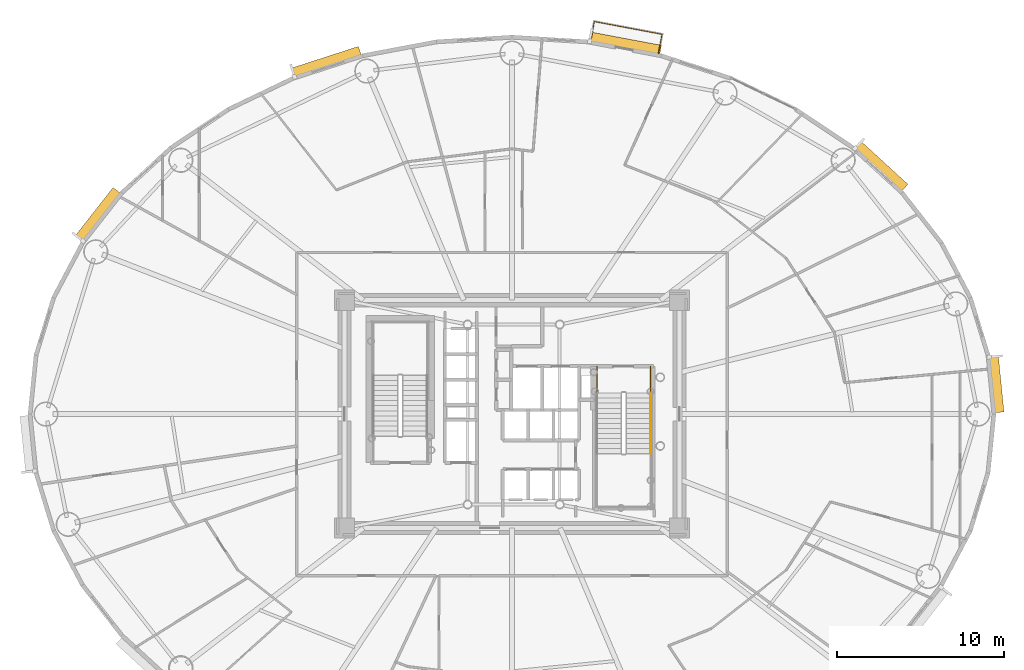
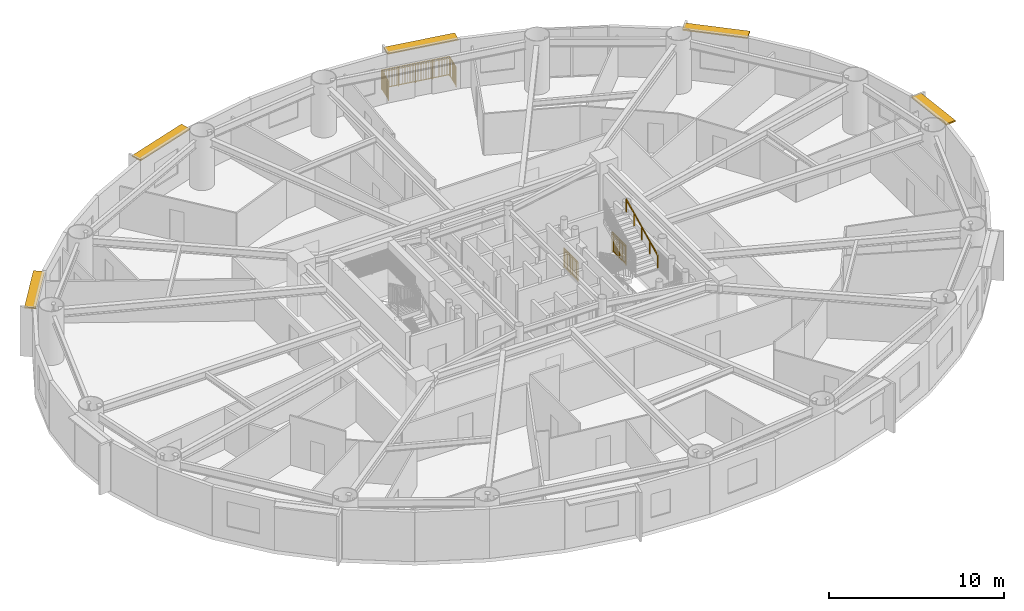
# One storey, part 17 of 17: 5 shading devices, 4 railings.
"""IFC4 building model written with IfcOpenShell, lengths in metres."""

import ifcopenshell
import ifcopenshell.guid

model = None  # the IFC model being written
_history = None  # IfcOwnerHistory: only IFC2X3 demands one
_inside = {}  # id of a spatial element -> (the spatial element, [elements in it])
_under = {}  # id of a project, library or spatial element -> (it, [spatial elements below it])
_declared = {}  # id of a project -> (the project, [libraries it declares])
_typed = {}  # id of a type object -> (the type object, [elements of that type])
_made_of = {}  # id of a material, layer set ... -> (it, [elements and type objects made of it])


def new_model(schema):
    """Start an empty IFC model of exactly this schema.

    Asked for "IFC4X3", IfcOpenShell would pick the latest addendum, in which some entities
    have other attributes; the version numbers below select the first issue.
    IFC2X3 requires an IfcOwnerHistory on every rooted entity: one is made here for all.
    """
    global model, _history
    if schema == "IFC4X3":
        model = ifcopenshell.file(schema_version=(4, 3, 0, 0))
    else:
        model = ifcopenshell.file(schema=schema)
    _inside.clear()
    _under.clear()
    _declared.clear()
    _typed.clear()
    _made_of.clear()
    _history = None
    if model.schema == "IFC2X3":
        org = make("IfcOrganization", Name="unknown")
        user = make(
            "IfcPersonAndOrganization",
            ThePerson=make("IfcPerson", FamilyName="unknown"),
            TheOrganization=org,
        )
        app = make(
            "IfcApplication",
            ApplicationDeveloper=org,
            Version="unknown",
            ApplicationFullName="unknown",
            ApplicationIdentifier="unknown",
        )
        _history = make(
            "IfcOwnerHistory",
            OwningUser=user,
            OwningApplication=app,
            ChangeAction="ADDED",
            CreationDate=0,
        )
    return model


def make(cls, **values):
    """One entity of the class cls with the attributes given. An attribute that is None is left unset."""
    return model.create_entity(
        cls, **{name: value for name, value in values.items() if value is not None}
    )


def rooted(cls, **values):
    """An entity with a GlobalId (a new one), such as an element, a storey or a relation."""
    return make(cls, GlobalId=ifcopenshell.guid.new(), OwnerHistory=_history, **values)


def si_unit(unit_type, name, prefix=None):
    """IfcSIUnit, for example si_unit("LENGTHUNIT", "METRE", prefix="MILLI")."""
    return make("IfcSIUnit", UnitType=unit_type, Prefix=prefix, Name=name)


def assignment(units):
    """IfcUnitAssignment: the units of a project."""
    return None if units is None else make("IfcUnitAssignment", Units=units)


def point(xyz):
    """IfcCartesianPoint."""
    return None if xyz is None else make("IfcCartesianPoint", Coordinates=xyz)


def direction(xyz):
    """IfcDirection."""
    return None if xyz is None else make("IfcDirection", DirectionRatios=xyz)


def frame(location, z_axis=None, x_axis=None):
    """IfcAxis2Placement3D, a coordinate frame: its origin and axes. An axis left out is left unset."""
    return make(
        "IfcAxis2Placement3D",
        Location=point(location),
        Axis=direction(z_axis),
        RefDirection=direction(x_axis),
    )


def frame_2d(location, x_axis=None):
    """IfcAxis2Placement2D, a coordinate frame in the plane: its origin and x axis."""
    return make(
        "IfcAxis2Placement2D", Location=point(location), RefDirection=direction(x_axis)
    )


def origin():
    """The frame at (0, 0, 0) with its axes left unset."""
    return frame((0.0, 0.0, 0.0))


def origin_2d():
    """The frame at (0, 0) in the plane with its x axis left unset."""
    return frame_2d((0.0, 0.0))


def place(relative_to, where):
    """IfcLocalPlacement: puts the frame where relative to a parent placement (None: the world)."""
    return make(
        "IfcLocalPlacement", PlacementRelTo=relative_to, RelativePlacement=where
    )


def context(
    kind, dimensions, precision=None, world=None, true_north=None, identifier=None
):
    """IfcGeometricRepresentationContext, for example the 3D "Model" context."""
    return make(
        "IfcGeometricRepresentationContext",
        ContextIdentifier=identifier,
        ContextType=kind,
        CoordinateSpaceDimension=dimensions,
        Precision=precision,
        WorldCoordinateSystem=world,
        TrueNorth=true_north,
    )


def subcontext(parent, identifier, kind, view, scale=None):
    """IfcGeometricRepresentationSubContext, for example "Body" below "Model"."""
    return make(
        "IfcGeometricRepresentationSubContext",
        ContextIdentifier=identifier,
        ContextType=kind,
        ParentContext=parent,
        TargetScale=scale,
        TargetView=view,
    )


def project(units=None, contexts=None):
    """IfcProject with its units and contexts."""
    return rooted(
        "IfcProject",
        Name="project",
        RepresentationContexts=contexts,
        UnitsInContext=assignment(units),
    )


def spatial(cls, under=None, at=None, **own):
    """A site, building, storey or space (cls), placed at a placement, below another one or the project."""
    s = rooted(cls, ObjectPlacement=at, **own)
    if under is not None:
        _under.setdefault(under.id(), (under, []))[1].append(s)
    return s


def profile(cls, at=None, kind="AREA", **sizes):
    """A parametric profile (cls). Its sizes go by their IFC names, for example OverallWidth=200.0."""
    return make(cls, ProfileType=kind, Position=at, **sizes)


def rectangle(**sizes):
    """IfcRectangleProfileDef."""
    return profile("IfcRectangleProfileDef", **sizes)


def extrude(swept, where, along, depth):
    """IfcExtrudedAreaSolid: the profile swept, set in the frame where, extruded along a direction by depth."""
    return make(
        "IfcExtrudedAreaSolid",
        SweptArea=swept,
        Position=where,
        ExtrudedDirection=direction(along),
        Depth=depth,
    )


def shape(context_of_items, identifier, shape_type, items):
    """IfcShapeRepresentation: the items that make up one representation, for example the "Body"."""
    return make(
        "IfcShapeRepresentation",
        ContextOfItems=context_of_items,
        RepresentationIdentifier=identifier,
        RepresentationType=shape_type,
        Items=items,
    )


def source(mapping_origin, context_of_items, identifier, shape_type, items):
    """IfcRepresentationMap: a shape defined once, which mapped items show again and again."""
    return make(
        "IfcRepresentationMap",
        MappingOrigin=mapping_origin,
        MappedRepresentation=shape(context_of_items, identifier, shape_type, items),
    )


def transform(
    local_origin,
    x_axis=None,
    y_axis=None,
    z_axis=None,
    scale=None,
    scale2=None,
    scale3=None,
    uniform=True,
):
    """IfcCartesianTransformationOperator3D, or its non-uniform kind. x_axis, y_axis, z_axis: its Axis1, 2, 3."""
    if uniform:
        return make(
            "IfcCartesianTransformationOperator3D",
            Axis1=direction(x_axis),
            Axis2=direction(y_axis),
            LocalOrigin=point(local_origin),
            Scale=scale,
            Axis3=direction(z_axis),
        )
    return make(
        "IfcCartesianTransformationOperator3DnonUniform",
        Axis1=direction(x_axis),
        Axis2=direction(y_axis),
        LocalOrigin=point(local_origin),
        Scale=scale,
        Axis3=direction(z_axis),
        Scale2=scale2,
        Scale3=scale3,
    )


def mapped(mapping_source, mapping_target):
    """IfcMappedItem: shows the shape of a source again, moved by a transform."""
    return make(
        "IfcMappedItem", MappingSource=mapping_source, MappingTarget=mapping_target
    )


def material(Name=None, Category=None):
    """IfcMaterial."""
    return make("IfcMaterial", Name=Name, Category=Category)


def layer(
    of_material, thickness, ventilated=None, Name=None, Category=None, Priority=None
):
    """IfcMaterialLayer: one layer of a wall or slab, of a material (None: an air gap)."""
    return make(
        "IfcMaterialLayer",
        Material=of_material,
        LayerThickness=thickness,
        IsVentilated=ventilated,
        Name=Name,
        Category=Category,
        Priority=Priority,
    )


def layer_set(layers, Name=None):
    """IfcMaterialLayerSet."""
    return make("IfcMaterialLayerSet", MaterialLayers=layers, LayerSetName=Name)


def made_of(thing, what):
    """Note that an element or type object is made of a material, layer set ...; save() writes the relation."""
    if what is not None:
        _made_of.setdefault(what.id(), (what, []))[1].append(thing)
    return thing


def type_object(cls, material=None, **own):
    """A type object (cls), such as IfcWallType, which elements share."""
    return made_of(rooted(cls, **own), material)


def element(
    cls,
    number,
    at=None,
    inside=None,
    cuts=None,
    type_object=None,
    material=None,
    context=None,
    identifier="Body",
    shape_type=None,
    held_by="IfcProductDefinitionShape",
    body=None,
    shapes=None,
    **own,
):
    """One element of the class cls, such as IfcWall. Its Tag is "e" and its number.

    at: its placement. inside: the storey or other place that contains it. cuts: it is an
    opening in that element (IfcRelVoidsElement). A single representation is given by context,
    identifier, shape_type and body (its items); several are given by shapes. held_by: the class
    of the entity that holds the representations. save() writes the other relations.
    """
    e = rooted(cls, Tag="e%d" % number, ObjectPlacement=at, **own)
    if body is not None:
        shapes = [shape(context, identifier, shape_type, body)]
    if shapes is not None:
        e.Representation = make(held_by, Representations=shapes)
    if inside is not None:
        _inside.setdefault(inside.id(), (inside, []))[1].append(e)
    if cuts is not None:
        rooted(
            "IfcRelVoidsElement", RelatingBuildingElement=cuts, RelatedOpeningElement=e
        )
    if type_object is not None:
        _typed.setdefault(type_object.id(), (type_object, []))[1].append(e)
    return made_of(e, material)


def aggregate(whole, parts):
    """IfcRelAggregates: a whole, such as a stair, and the parts it consists of."""
    return rooted("IfcRelAggregates", RelatingObject=whole, RelatedObjects=parts)


def save(model, path):
    """Write the relations noted so far, then the file.

    IfcRelAggregates (storeys below a building ...), IfcRelContainedInSpatialStructure (elements
    in a storey), IfcRelDefinesByType, IfcRelAssociatesMaterial and IfcRelDeclares: one each for
    every whole, place, type object, material and project.
    """
    for whole, parts in _under.values():
        aggregate(whole, parts)
    for where, things in _inside.values():
        rooted(
            "IfcRelContainedInSpatialStructure",
            RelatedElements=things,
            RelatingStructure=where,
        )
    for kind, things in _typed.values():
        rooted("IfcRelDefinesByType", RelatedObjects=things, RelatingType=kind)
    for what, things in _made_of.values():
        rooted("IfcRelAssociatesMaterial", RelatedObjects=things, RelatingMaterial=what)
    for by, libraries in _declared.values():
        rooted("IfcRelDeclares", RelatingContext=by, RelatedDefinitions=libraries)
    model.write(path)


model = new_model("IFC4")

# Units and contexts
model_context = context("Model", 3, precision=1e-05, world=origin(), true_north=direction((0.0, 1.0)))
body_context = subcontext(model_context, "Body", "Model", "MODEL_VIEW")
ifc_project = project(units=[si_unit("LENGTHUNIT", "METRE"), si_unit("AREAUNIT", "SQUARE_METRE"), si_unit("VOLUMEUNIT", "CUBIC_METRE"), si_unit("PLANEANGLEUNIT", "RADIAN"), si_unit("MASSUNIT", "GRAM", prefix="KILO")], contexts=[model_context])

# Site, building, storey
site_placement = place(None, origin())
site = spatial("IfcSite", under=ifc_project, at=site_placement, CompositionType="ELEMENT")
building_placement = place(site_placement, origin())
building = spatial("IfcBuilding", under=site, at=building_placement, Name="Linh Dai School and Residence Tower", CompositionType="ELEMENT")
storey_placement = place(building_placement, frame((0.0, 0.0, 142.199951171875)))
storey = spatial("IfcBuildingStorey", under=building, at=storey_placement, Name="L34", CompositionType="ELEMENT", Elevation=142.199951171875)

# Shading devices
ifc_material_1 = material(Name="Terracotta Ceramic Sunshade", Category="masonry")
ifc_layer = layer(ifc_material_1, 0.10009765625)
ifc_layer_set = layer_set([ifc_layer], Name="Terracotta Ceramic Sunshade")
shading_device_type = type_object("IfcShadingDeviceType", Name="SHD-TC-650", PredefinedType="USERDEFINED", material=ifc_layer_set)
shared_shape_1 = source(origin(), body_context, "Body", "SweptSolid", [
    extrude(rectangle(XDim=3.3916015625, YDim=0.64990234375, at=origin_2d()), origin(), (0.0, 0.0, 1.0), 0.10009765625),
])
shading_device_1_placement = place(storey_placement, frame((64.8818359375, 28.7861328125, 3.330078125), z_axis=(0.0, 0.0, 1.0), x_axis=(0.100007297192, -0.994986703684, 0.0)))
element("IfcShadingDevice", 1, at=shading_device_1_placement, inside=storey, type_object=shading_device_type, Name="L34 Terracotta Horizontal Sunshade Band 01", ObjectType="SUNSHADE", PredefinedType="USERDEFINED", context=body_context, shape_type="MappedRepresentation", body=[
    mapped(shared_shape_1, transform((0.0, 0.0, 0.0), x_axis=(1.0, 0.0, 0.0), y_axis=(0.0, 1.0, 0.0), z_axis=(0.0, 0.0, 1.0), scale=1.0)),
])
shared_shape_2 = source(origin(), body_context, "Body", "SweptSolid", [
    extrude(rectangle(XDim=3.81689453125, YDim=0.64990234375, at=origin_2d()), origin(), (0.0, 0.0, 1.0), 0.10009765625),
])
shading_device_2_placement = place(storey_placement, frame((58.016357421875, 41.77001953125, 3.330078125), z_axis=(0.0, 0.0, 1.0), x_axis=(0.737100266172, -0.675783395482, 0.0)))
element("IfcShadingDevice", 2, at=shading_device_2_placement, inside=storey, type_object=shading_device_type, Name="L34 Terracotta Horizontal Sunshade Band 05", ObjectType="SUNSHADE", PredefinedType="USERDEFINED", context=body_context, shape_type="MappedRepresentation", body=[
    mapped(shared_shape_2, transform((0.0, 0.0, 0.0), x_axis=(1.0, 0.0, 0.0), y_axis=(0.0, 1.0, 0.0), z_axis=(0.0, 0.0, 1.0), scale=1.0)),
])
shared_shape_3 = source(origin(), body_context, "Body", "SweptSolid", [
    extrude(rectangle(XDim=4.292236328125, YDim=0.64990234375, at=origin_2d()), origin(), (0.0, 0.0, 1.0), 0.10009765625),
])
shading_device_3_placement = place(storey_placement, frame((42.75537109375, 49.094482421875, 3.330078125), z_axis=(0.0, 0.0, 1.0), x_axis=(0.982784673718, -0.18475466193, 0.0)))
element("IfcShadingDevice", 3, at=shading_device_3_placement, inside=storey, type_object=shading_device_type, Name="L34 Terracotta Horizontal Sunshade Band 09", ObjectType="SUNSHADE", PredefinedType="USERDEFINED", context=body_context, shape_type="MappedRepresentation", body=[
    mapped(shared_shape_3, transform((0.0, 0.0, 0.0), x_axis=(1.0, 0.0, 0.0), y_axis=(0.0, 1.0, 0.0), z_axis=(0.0, 0.0, 1.0), scale=1.0)),
])
shared_shape_4 = source(origin(), body_context, "Body", "SweptSolid", [
    extrude(rectangle(XDim=4.212890625, YDim=0.64990234375, at=origin_2d()), origin(), (0.0, 0.0, 1.0), 0.10009765625),
])
shading_device_4_placement = place(storey_placement, frame((24.92529296875, 47.995361328125, 3.330078125), z_axis=(0.0, 0.0, 1.0), x_axis=(0.951217089442, 0.308522363457, 0.0)))
element("IfcShadingDevice", 4, at=shading_device_4_placement, inside=storey, type_object=shading_device_type, Name="L34 Terracotta Horizontal Sunshade Band 13", ObjectType="SUNSHADE", PredefinedType="USERDEFINED", context=body_context, shape_type="MappedRepresentation", body=[
    mapped(shared_shape_4, transform((0.0, 0.0, 0.0), x_axis=(1.0, 0.0, 0.0), y_axis=(0.0, 1.0, 0.0), z_axis=(0.0, 0.0, 1.0), scale=1.0)),
])
shared_shape_5 = source(origin(), body_context, "Body", "SweptSolid", [
    extrude(rectangle(XDim=3.67041015625, YDim=0.64990234375, at=origin_2d()), origin(), (0.0, 0.0, 1.0), 0.10009765625),
])
shading_device_5_placement = place(storey_placement, frame((11.308349609375, 38.88671875, 3.330078125), z_axis=(0.0, 0.0, 1.0), x_axis=(0.616305017583, 0.787507539838, 0.0)))
element("IfcShadingDevice", 5, at=shading_device_5_placement, inside=storey, type_object=shading_device_type, Name="L34 Terracotta Horizontal Sunshade Band 17", ObjectType="SUNSHADE", PredefinedType="USERDEFINED", context=body_context, shape_type="MappedRepresentation", body=[
    mapped(shared_shape_5, transform((0.0, 0.0, 0.0), x_axis=(1.0, 0.0, 0.0), y_axis=(0.0, 1.0, 0.0), z_axis=(0.0, 0.0, 1.0), scale=1.0)),
])

# Railings
ifc_material_2 = material(Name="Structural Steel S355JR", Category="steel")
railing_type_1 = type_object("IfcRailingType", Name="RL-BAL-1400", PredefinedType="BALUSTRADE", material=ifc_material_2)
shared_shape_6 = source(origin(), body_context, "Body", "SweptSolid", [
    extrude(rectangle(XDim=0.048095703125, YDim=0.048095703125, at=origin_2d()), frame((0.0, 0.0, 1.3759765625), z_axis=(0.18476321632, 0.982783065531, 0.0), x_axis=(-0.982783065531, 0.18476321632, 0.0)), (0.0, 0.0, 1.0), 1.179931640625),
    extrude(rectangle(XDim=0.048095703125, YDim=0.048095703125, at=origin_2d()), frame((0.0, 0.0, 0.10009765625), z_axis=(0.18476321632, 0.982783065531, 0.0), x_axis=(-0.982783065531, 0.18476321632, 0.0)), (0.0, 0.0, 1.0), 1.179931640625),
    extrude(rectangle(XDim=0.030029296875, YDim=0.030029296875, at=origin_2d()), frame((0.0, 0.0, 1.239990234375), z_axis=(0.18476321632, 0.982783065531, 0.0), x_axis=(-0.982783065531, 0.18476321632, 0.0)), (0.0, 0.0, 1.0), 1.179931640625),
    extrude(rectangle(XDim=0.02001953125, YDim=0.02001953125, at=origin_2d()), frame((0.016845703125, 0.089111328125, 0.10009765625)), (0.0, 0.0, 1.0), 1.251708984375),
    extrude(rectangle(XDim=0.02001953125, YDim=0.02001953125, at=origin_2d()), frame((0.033447265625, 0.178466796875, 0.10009765625)), (0.0, 0.0, 1.0), 1.251708984375),
    extrude(rectangle(XDim=0.02001953125, YDim=0.02001953125, at=origin_2d()), frame((0.05029296875, 0.267578125, 0.10009765625)), (0.0, 0.0, 1.0), 1.251708984375),
    extrude(rectangle(XDim=0.02001953125, YDim=0.02001953125, at=origin_2d()), frame((0.067138671875, 0.35693359375, 0.10009765625)), (0.0, 0.0, 1.0), 1.251708984375),
    extrude(rectangle(XDim=0.02001953125, YDim=0.02001953125, at=origin_2d()), frame((0.083740234375, 0.446044921875, 0.10009765625)), (0.0, 0.0, 1.0), 1.251708984375),
    extrude(rectangle(XDim=0.02001953125, YDim=0.02001953125, at=origin_2d()), frame((0.1005859375, 0.53515625, 0.10009765625)), (0.0, 0.0, 1.0), 1.251708984375),
    extrude(rectangle(XDim=0.02001953125, YDim=0.02001953125, at=origin_2d()), frame((0.117431640625, 0.62451171875, 0.10009765625)), (0.0, 0.0, 1.0), 1.251708984375),
    extrude(rectangle(XDim=0.02001953125, YDim=0.02001953125, at=origin_2d()), frame((0.13427734375, 0.713623046875, 0.10009765625)), (0.0, 0.0, 1.0), 1.251708984375),
    extrude(rectangle(XDim=0.02001953125, YDim=0.02001953125, at=origin_2d()), frame((0.15087890625, 0.802734375, 0.10009765625)), (0.0, 0.0, 1.0), 1.251708984375),
    extrude(rectangle(XDim=0.02001953125, YDim=0.02001953125, at=origin_2d()), frame((0.167724609375, 0.89208984375, 0.10009765625)), (0.0, 0.0, 1.0), 1.251708984375),
    extrude(rectangle(XDim=0.02001953125, YDim=0.02001953125, at=origin_2d()), frame((0.1845703125, 0.981201171875, 0.10009765625)), (0.0, 0.0, 1.0), 1.251708984375),
    extrude(rectangle(XDim=0.02001953125, YDim=0.02001953125, at=origin_2d()), frame((0.201171875, 1.070556640625, 0.10009765625)), (0.0, 0.0, 1.0), 1.251708984375),
    extrude(rectangle(XDim=0.048095703125, YDim=0.048095703125, at=origin_2d()), frame((0.218017578125, 1.15966796875, 1.3759765625), z_axis=(0.98278535156, -0.184751056179, 0.0), x_axis=(0.184751056179, 0.98278535156, 0.0)), (0.0, 0.0, 1.0), 4.111083984375),
    extrude(rectangle(XDim=0.048095703125, YDim=0.048095703125, at=origin_2d()), frame((0.218017578125, 1.15966796875, 0.10009765625), z_axis=(0.98278535156, -0.184751056179, 0.0), x_axis=(0.184751056179, 0.98278535156, 0.0)), (0.0, 0.0, 1.0), 4.111083984375),
    extrude(rectangle(XDim=0.030029296875, YDim=0.030029296875, at=origin_2d()), frame((0.218017578125, 1.15966796875, 1.239990234375), z_axis=(0.98278535156, -0.184751056179, 0.0), x_axis=(0.184751056179, 0.98278535156, 0.0)), (0.0, 0.0, 1.0), 4.111083984375),
    extrude(rectangle(XDim=0.02001953125, YDim=0.02001953125, at=origin_2d()), frame((0.314208984375, 1.1416015625, 0.10009765625)), (0.0, 0.0, 1.0), 1.251708984375),
    extrude(rectangle(XDim=0.02001953125, YDim=0.02001953125, at=origin_2d()), frame((0.410400390625, 1.12353515625, 0.10009765625)), (0.0, 0.0, 1.0), 1.251708984375),
    extrude(rectangle(XDim=0.02001953125, YDim=0.02001953125, at=origin_2d()), frame((0.506591796875, 1.10546875, 0.10009765625)), (0.0, 0.0, 1.0), 1.251708984375),
    extrude(rectangle(XDim=0.02001953125, YDim=0.02001953125, at=origin_2d()), frame((0.602783203125, 1.08740234375, 0.10009765625)), (0.0, 0.0, 1.0), 1.251708984375),
    extrude(rectangle(XDim=0.02001953125, YDim=0.02001953125, at=origin_2d()), frame((0.698974609375, 1.0693359375, 0.10009765625)), (0.0, 0.0, 1.0), 1.251708984375),
    extrude(rectangle(XDim=0.02001953125, YDim=0.02001953125, at=origin_2d()), frame((0.795166015625, 1.05126953125, 0.10009765625)), (0.0, 0.0, 1.0), 1.251708984375),
    extrude(rectangle(XDim=0.02001953125, YDim=0.02001953125, at=origin_2d()), frame((0.891357421875, 1.033203125, 0.10009765625)), (0.0, 0.0, 1.0), 1.251708984375),
    extrude(rectangle(XDim=0.02001953125, YDim=0.02001953125, at=origin_2d()), frame((0.987548828125, 1.014892578125, 0.10009765625)), (0.0, 0.0, 1.0), 1.251708984375),
    extrude(rectangle(XDim=0.02001953125, YDim=0.02001953125, at=origin_2d()), frame((1.083740234375, 0.996826171875, 0.10009765625)), (0.0, 0.0, 1.0), 1.251708984375),
    extrude(rectangle(XDim=0.02001953125, YDim=0.02001953125, at=origin_2d()), frame((1.179931640625, 0.978759765625, 0.10009765625)), (0.0, 0.0, 1.0), 1.251708984375),
    extrude(rectangle(XDim=0.02001953125, YDim=0.02001953125, at=origin_2d()), frame((1.276123046875, 0.960693359375, 0.10009765625)), (0.0, 0.0, 1.0), 1.251708984375),
    extrude(rectangle(XDim=0.02001953125, YDim=0.02001953125, at=origin_2d()), frame((1.372314453125, 0.942626953125, 0.10009765625)), (0.0, 0.0, 1.0), 1.251708984375),
    extrude(rectangle(XDim=0.02001953125, YDim=0.02001953125, at=origin_2d()), frame((1.468505859375, 0.924560546875, 0.10009765625)), (0.0, 0.0, 1.0), 1.251708984375),
    extrude(rectangle(XDim=0.02001953125, YDim=0.02001953125, at=origin_2d()), frame((1.564697265625, 0.906494140625, 0.10009765625)), (0.0, 0.0, 1.0), 1.251708984375),
    extrude(rectangle(XDim=0.02001953125, YDim=0.02001953125, at=origin_2d()), frame((1.660888671875, 0.888427734375, 0.10009765625)), (0.0, 0.0, 1.0), 1.251708984375),
    extrude(rectangle(XDim=0.02001953125, YDim=0.02001953125, at=origin_2d()), frame((1.757080078125, 0.870361328125, 0.10009765625)), (0.0, 0.0, 1.0), 1.251708984375),
    extrude(rectangle(XDim=0.02001953125, YDim=0.02001953125, at=origin_2d()), frame((1.853271484375, 0.852294921875, 0.10009765625)), (0.0, 0.0, 1.0), 1.251708984375),
    extrude(rectangle(XDim=0.02001953125, YDim=0.02001953125, at=origin_2d()), frame((1.949462890625, 0.834228515625, 0.10009765625)), (0.0, 0.0, 1.0), 1.251708984375),
    extrude(rectangle(XDim=0.02001953125, YDim=0.02001953125, at=origin_2d()), frame((2.045654296875, 0.816162109375, 0.10009765625)), (0.0, 0.0, 1.0), 1.251708984375),
    extrude(rectangle(XDim=0.02001953125, YDim=0.02001953125, at=origin_2d()), frame((2.141845703125, 0.798095703125, 0.10009765625)), (0.0, 0.0, 1.0), 1.251708984375),
    extrude(rectangle(XDim=0.02001953125, YDim=0.02001953125, at=origin_2d()), frame((2.33447265625, 0.76171875, 0.10009765625)), (0.0, 0.0, 1.0), 1.251708984375),
    extrude(rectangle(XDim=0.02001953125, YDim=0.02001953125, at=origin_2d()), frame((2.4306640625, 0.74365234375, 0.10009765625)), (0.0, 0.0, 1.0), 1.251708984375),
    extrude(rectangle(XDim=0.02001953125, YDim=0.02001953125, at=origin_2d()), frame((2.52685546875, 0.7255859375, 0.10009765625)), (0.0, 0.0, 1.0), 1.251708984375),
    extrude(rectangle(XDim=0.02001953125, YDim=0.02001953125, at=origin_2d()), frame((2.623046875, 0.70751953125, 0.10009765625)), (0.0, 0.0, 1.0), 1.251708984375),
    extrude(rectangle(XDim=0.02001953125, YDim=0.02001953125, at=origin_2d()), frame((2.71923828125, 0.689453125, 0.10009765625)), (0.0, 0.0, 1.0), 1.251708984375),
    extrude(rectangle(XDim=0.02001953125, YDim=0.02001953125, at=origin_2d()), frame((2.8154296875, 0.67138671875, 0.10009765625)), (0.0, 0.0, 1.0), 1.251708984375),
    extrude(rectangle(XDim=0.02001953125, YDim=0.02001953125, at=origin_2d()), frame((2.91162109375, 0.6533203125, 0.10009765625)), (0.0, 0.0, 1.0), 1.251708984375),
    extrude(rectangle(XDim=0.02001953125, YDim=0.02001953125, at=origin_2d()), frame((3.0078125, 0.63525390625, 0.10009765625)), (0.0, 0.0, 1.0), 1.251708984375),
    extrude(rectangle(XDim=0.02001953125, YDim=0.02001953125, at=origin_2d()), frame((3.10400390625, 0.6171875, 0.10009765625)), (0.0, 0.0, 1.0), 1.251708984375),
    extrude(rectangle(XDim=0.02001953125, YDim=0.02001953125, at=origin_2d()), frame((3.2001953125, 0.59912109375, 0.10009765625)), (0.0, 0.0, 1.0), 1.251708984375),
    extrude(rectangle(XDim=0.02001953125, YDim=0.02001953125, at=origin_2d()), frame((3.29638671875, 0.5810546875, 0.10009765625)), (0.0, 0.0, 1.0), 1.251708984375),
    extrude(rectangle(XDim=0.02001953125, YDim=0.02001953125, at=origin_2d()), frame((3.392578125, 0.56298828125, 0.10009765625)), (0.0, 0.0, 1.0), 1.251708984375),
    extrude(rectangle(XDim=0.02001953125, YDim=0.02001953125, at=origin_2d()), frame((3.48876953125, 0.544921875, 0.10009765625)), (0.0, 0.0, 1.0), 1.251708984375),
    extrude(rectangle(XDim=0.02001953125, YDim=0.02001953125, at=origin_2d()), frame((3.5849609375, 0.52685546875, 0.10009765625)), (0.0, 0.0, 1.0), 1.251708984375),
    extrude(rectangle(XDim=0.02001953125, YDim=0.02001953125, at=origin_2d()), frame((3.68115234375, 0.508544921875, 0.10009765625)), (0.0, 0.0, 1.0), 1.251708984375),
    extrude(rectangle(XDim=0.02001953125, YDim=0.02001953125, at=origin_2d()), frame((3.77734375, 0.490478515625, 0.10009765625)), (0.0, 0.0, 1.0), 1.251708984375),
    extrude(rectangle(XDim=0.02001953125, YDim=0.02001953125, at=origin_2d()), frame((3.87353515625, 0.472412109375, 0.10009765625)), (0.0, 0.0, 1.0), 1.251708984375),
    extrude(rectangle(XDim=0.02001953125, YDim=0.02001953125, at=origin_2d()), frame((3.9697265625, 0.454345703125, 0.10009765625)), (0.0, 0.0, 1.0), 1.251708984375),
    extrude(rectangle(XDim=0.02001953125, YDim=0.02001953125, at=origin_2d()), frame((4.06591796875, 0.436279296875, 0.10009765625)), (0.0, 0.0, 1.0), 1.251708984375),
    extrude(rectangle(XDim=0.02001953125, YDim=0.02001953125, at=origin_2d()), frame((4.162109375, 0.418212890625, 0.10009765625)), (0.0, 0.0, 1.0), 1.251708984375),
    extrude(rectangle(XDim=0.048095703125, YDim=0.048095703125, at=origin_2d()), frame((4.25830078125, 0.400146484375, 1.3759765625), z_axis=(-0.18476321632, -0.982783065531, 0.0), x_axis=(0.982783065531, -0.18476321632, 0.0)), (0.0, 0.0, 1.0), 1.179931640625),
    extrude(rectangle(XDim=0.048095703125, YDim=0.048095703125, at=origin_2d()), frame((4.25830078125, 0.400146484375, 0.10009765625), z_axis=(-0.18476321632, -0.982783065531, 0.0), x_axis=(0.982783065531, -0.18476321632, 0.0)), (0.0, 0.0, 1.0), 1.179931640625),
    extrude(rectangle(XDim=0.030029296875, YDim=0.030029296875, at=origin_2d()), frame((4.25830078125, 0.400146484375, 1.239990234375), z_axis=(-0.18476321632, -0.982783065531, 0.0), x_axis=(0.982783065531, -0.18476321632, 0.0)), (0.0, 0.0, 1.0), 1.179931640625),
    extrude(rectangle(XDim=0.02001953125, YDim=0.02001953125, at=origin_2d()), frame((4.241455078125, 0.31103515625, 0.10009765625)), (0.0, 0.0, 1.0), 1.251708984375),
    extrude(rectangle(XDim=0.02001953125, YDim=0.02001953125, at=origin_2d()), frame((4.224853515625, 0.2216796875, 0.10009765625)), (0.0, 0.0, 1.0), 1.251708984375),
    extrude(rectangle(XDim=0.02001953125, YDim=0.02001953125, at=origin_2d()), frame((4.2080078125, 0.132568359375, 0.10009765625)), (0.0, 0.0, 1.0), 1.251708984375),
    extrude(rectangle(XDim=0.02001953125, YDim=0.02001953125, at=origin_2d()), frame((4.191162109375, 0.043212890625, 0.10009765625)), (0.0, 0.0, 1.0), 1.251708984375),
    extrude(rectangle(XDim=0.02001953125, YDim=0.02001953125, at=origin_2d()), frame((4.174560546875, -0.0458984375, 0.10009765625)), (0.0, 0.0, 1.0), 1.251708984375),
    extrude(rectangle(XDim=0.02001953125, YDim=0.02001953125, at=origin_2d()), frame((4.15771484375, -0.135009765625, 0.10009765625)), (0.0, 0.0, 1.0), 1.251708984375),
    extrude(rectangle(XDim=0.02001953125, YDim=0.02001953125, at=origin_2d()), frame((4.140869140625, -0.224365234375, 0.10009765625)), (0.0, 0.0, 1.0), 1.251708984375),
    extrude(rectangle(XDim=0.02001953125, YDim=0.02001953125, at=origin_2d()), frame((4.1240234375, -0.3134765625, 0.10009765625)), (0.0, 0.0, 1.0), 1.251708984375),
    extrude(rectangle(XDim=0.02001953125, YDim=0.02001953125, at=origin_2d()), frame((4.107421875, -0.402587890625, 0.10009765625)), (0.0, 0.0, 1.0), 1.251708984375),
    extrude(rectangle(XDim=0.02001953125, YDim=0.02001953125, at=origin_2d()), frame((4.090576171875, -0.491943359375, 0.10009765625)), (0.0, 0.0, 1.0), 1.251708984375),
    extrude(rectangle(XDim=0.02001953125, YDim=0.02001953125, at=origin_2d()), frame((4.07373046875, -0.5810546875, 0.10009765625)), (0.0, 0.0, 1.0), 1.251708984375),
    extrude(rectangle(XDim=0.02001953125, YDim=0.02001953125, at=origin_2d()), frame((4.05712890625, -0.67041015625, 0.10009765625)), (0.0, 0.0, 1.0), 1.251708984375),
    extrude(rectangle(XDim=0.0419921875, YDim=0.0419921875, at=origin_2d()), origin(), (0.0, 0.0, 1.0), 1.3759765625),
    extrude(rectangle(XDim=0.0419921875, YDim=0.0419921875, at=origin_2d()), frame((0.218017578125, 1.15966796875, 0.0)), (0.0, 0.0, 1.0), 1.3759765625),
    extrude(rectangle(XDim=0.0419921875, YDim=0.0419921875, at=origin_2d()), frame((1.22802734375, 0.9697265625, 0.0)), (0.0, 0.0, 1.0), 1.3759765625),
    extrude(rectangle(XDim=0.0419921875, YDim=0.0419921875, at=origin_2d()), frame((2.23828125, 0.77978515625, 0.0)), (0.0, 0.0, 1.0), 1.3759765625),
    extrude(rectangle(XDim=0.0419921875, YDim=0.0419921875, at=origin_2d()), frame((3.248291015625, 0.590087890625, 0.0)), (0.0, 0.0, 1.0), 1.3759765625),
    extrude(rectangle(XDim=0.0419921875, YDim=0.0419921875, at=origin_2d()), frame((4.25830078125, 0.400146484375, 0.0)), (0.0, 0.0, 1.0), 1.3759765625),
    extrude(rectangle(XDim=0.0419921875, YDim=0.0419921875, at=origin_2d()), frame((4.040283203125, -0.759521484375, 0.0)), (0.0, 0.0, 1.0), 1.3759765625),
])
railing_1_placement = place(storey_placement, frame((40.6982421875, 49.277587890625, 0.0)))
element("IfcRailing", 6, at=railing_1_placement, inside=storey, type_object=railing_type_1, Name="L34 Balcony Safety Balustrade 09", PredefinedType="BALUSTRADE", context=body_context, shape_type="MappedRepresentation", body=[
    mapped(shared_shape_6, transform((0.0, 0.0, 0.0), x_axis=(1.0, 0.0, 0.0), y_axis=(0.0, 1.0, 0.0), z_axis=(0.0, 0.0, 1.0), scale=1.0)),
])
ifc_material_3 = material(Name="Brushed Stainless Steel Handrail", Category="steel")
railing_type_2 = type_object("IfcRailingType", Name="RL-ST-HANDRAIL-900", PredefinedType="HANDRAIL", material=ifc_material_3)
shared_shape_7 = source(origin(), body_context, "Body", "SweptSolid", [
    extrude(rectangle(XDim=0.048095703125, YDim=0.048095703125, at=origin_2d()), frame((0.0, 0.0, 0.8759765625), z_axis=(0.0, 0.901262522062, 0.433273431364), x_axis=(-1.0, 0.0, 0.0)), (0.0, 0.0, 1.0), 3.994384765625),
    extrude(rectangle(XDim=0.0419921875, YDim=0.0419921875, at=origin_2d()), origin(), (0.0, 0.0, 1.0), 0.8759765625),
    extrude(rectangle(XDim=0.0419921875, YDim=0.0419921875, at=origin_2d()), frame((0.0, 0.89990234375, 0.4326171875)), (0.0, 0.0, 1.0), 0.8759765625),
    extrude(rectangle(XDim=0.0419921875, YDim=0.0419921875, at=origin_2d()), frame((0.0, 1.800048828125, 0.865234375)), (0.0, 0.0, 1.0), 0.8759765625),
    extrude(rectangle(XDim=0.0419921875, YDim=0.0419921875, at=origin_2d()), frame((0.0, 2.7001953125, 1.298095703125)), (0.0, 0.0, 1.0), 0.8759765625),
    extrude(rectangle(XDim=0.0419921875, YDim=0.0419921875, at=origin_2d()), frame((0.0, 3.60009765625, 1.730712890625)), (0.0, 0.0, 1.0), 0.8759765625),
])
railing_2_placement = place(storey_placement, frame((44.27001953125, 24.64990234375, 2.019287109375)))
element("IfcRailing", 7, at=railing_2_placement, inside=storey, type_object=railing_type_2, Name="L34 ST2 stair handrail 2", PredefinedType="HANDRAIL", context=body_context, shape_type="MappedRepresentation", body=[
    mapped(shared_shape_7, transform((0.0, 0.0, 0.0), x_axis=(1.0, 0.0, 0.0), y_axis=(0.0, 1.0, 0.0), z_axis=(0.0, 0.0, 1.0), scale=1.0)),
])
railing_type_3 = type_object("IfcRailingType", Name="RL-ST-GUARD-1400", PredefinedType="GUARDRAIL", material=ifc_material_2)
shared_shape_8 = source(origin(), body_context, "Body", "SweptSolid", [
    extrude(rectangle(XDim=0.048095703125, YDim=0.048095703125, at=origin_2d()), frame((0.0, 0.0, 1.3759765625), z_axis=(0.0, -1.0, 0.0), x_axis=(1.0, 0.0, 0.0)), (0.0, 0.0, 1.0), 1.60009765625),
    extrude(rectangle(XDim=0.048095703125, YDim=0.048095703125, at=origin_2d()), frame((0.0, 0.0, 0.10009765625), z_axis=(0.0, -1.0, 0.0), x_axis=(1.0, 0.0, 0.0)), (0.0, 0.0, 1.0), 1.60009765625),
    extrude(rectangle(XDim=0.030029296875, YDim=0.030029296875, at=origin_2d()), frame((0.0, 0.0, 1.239990234375), z_axis=(0.0, -1.0, 0.0), x_axis=(1.0, 0.0, 0.0)), (0.0, 0.0, 1.0), 1.60009765625),
    extrude(rectangle(XDim=0.02001953125, YDim=0.02001953125, at=origin_2d()), frame((0.0, -0.09423828125, 0.10009765625)), (0.0, 0.0, 1.0), 1.251708984375),
    extrude(rectangle(XDim=0.02001953125, YDim=0.02001953125, at=origin_2d()), frame((0.0, -0.188232421875, 0.10009765625)), (0.0, 0.0, 1.0), 1.251708984375),
    extrude(rectangle(XDim=0.02001953125, YDim=0.02001953125, at=origin_2d()), frame((0.0, -0.282470703125, 0.10009765625)), (0.0, 0.0, 1.0), 1.251708984375),
    extrude(rectangle(XDim=0.02001953125, YDim=0.02001953125, at=origin_2d()), frame((0.0, -0.37646484375, 0.10009765625)), (0.0, 0.0, 1.0), 1.251708984375),
    extrude(rectangle(XDim=0.02001953125, YDim=0.02001953125, at=origin_2d()), frame((0.0, -0.470703125, 0.10009765625)), (0.0, 0.0, 1.0), 1.251708984375),
    extrude(rectangle(XDim=0.02001953125, YDim=0.02001953125, at=origin_2d()), frame((0.0, -0.564697265625, 0.10009765625)), (0.0, 0.0, 1.0), 1.251708984375),
    extrude(rectangle(XDim=0.02001953125, YDim=0.02001953125, at=origin_2d()), frame((0.0, -0.658935546875, 0.10009765625)), (0.0, 0.0, 1.0), 1.251708984375),
    extrude(rectangle(XDim=0.02001953125, YDim=0.02001953125, at=origin_2d()), frame((0.0, -0.7529296875, 0.10009765625)), (0.0, 0.0, 1.0), 1.251708984375),
    extrude(rectangle(XDim=0.02001953125, YDim=0.02001953125, at=origin_2d()), frame((0.0, -0.84716796875, 0.10009765625)), (0.0, 0.0, 1.0), 1.251708984375),
    extrude(rectangle(XDim=0.02001953125, YDim=0.02001953125, at=origin_2d()), frame((0.0, -0.941162109375, 0.10009765625)), (0.0, 0.0, 1.0), 1.251708984375),
    extrude(rectangle(XDim=0.02001953125, YDim=0.02001953125, at=origin_2d()), frame((0.0, -1.035400390625, 0.10009765625)), (0.0, 0.0, 1.0), 1.251708984375),
    extrude(rectangle(XDim=0.02001953125, YDim=0.02001953125, at=origin_2d()), frame((0.0, -1.12939453125, 0.10009765625)), (0.0, 0.0, 1.0), 1.251708984375),
    extrude(rectangle(XDim=0.02001953125, YDim=0.02001953125, at=origin_2d()), frame((0.0, -1.2236328125, 0.10009765625)), (0.0, 0.0, 1.0), 1.251708984375),
    extrude(rectangle(XDim=0.02001953125, YDim=0.02001953125, at=origin_2d()), frame((0.0, -1.317626953125, 0.10009765625)), (0.0, 0.0, 1.0), 1.251708984375),
    extrude(rectangle(XDim=0.02001953125, YDim=0.02001953125, at=origin_2d()), frame((0.0, -1.411865234375, 0.10009765625)), (0.0, 0.0, 1.0), 1.251708984375),
    extrude(rectangle(XDim=0.02001953125, YDim=0.02001953125, at=origin_2d()), frame((0.0, -1.505859375, 0.10009765625)), (0.0, 0.0, 1.0), 1.251708984375),
    extrude(rectangle(XDim=0.0419921875, YDim=0.0419921875, at=origin_2d()), origin(), (0.0, 0.0, 1.0), 1.3759765625),
    extrude(rectangle(XDim=0.0419921875, YDim=0.0419921875, at=origin_2d()), frame((0.0, -0.800048828125, 0.0)), (0.0, 0.0, 1.0), 1.3759765625),
    extrude(rectangle(XDim=0.0419921875, YDim=0.0419921875, at=origin_2d()), frame((0.0, -1.60009765625, 0.0)), (0.0, 0.0, 1.0), 1.3759765625),
])
for number, where, name in (
    (8, (41.070068359375, 29.85009765625, 0.0), "L34 ST2 stair guard 8"),
    (9, (44.27001953125, 29.85009765625, 0.0), "L34 ST2 stair guard 9"),
):
    element("IfcRailing", number, at=place(storey_placement, frame(where)), inside=storey, type_object=railing_type_3, Name=name, PredefinedType="GUARDRAIL", context=body_context, shape_type="MappedRepresentation", body=[
        mapped(shared_shape_8, transform((0.0, 0.0, 0.0), x_axis=(1.0, 0.0, 0.0), y_axis=(0.0, 1.0, 0.0), z_axis=(0.0, 0.0, 1.0), scale=1.0)),
    ])

save(model, "model.ifc")
